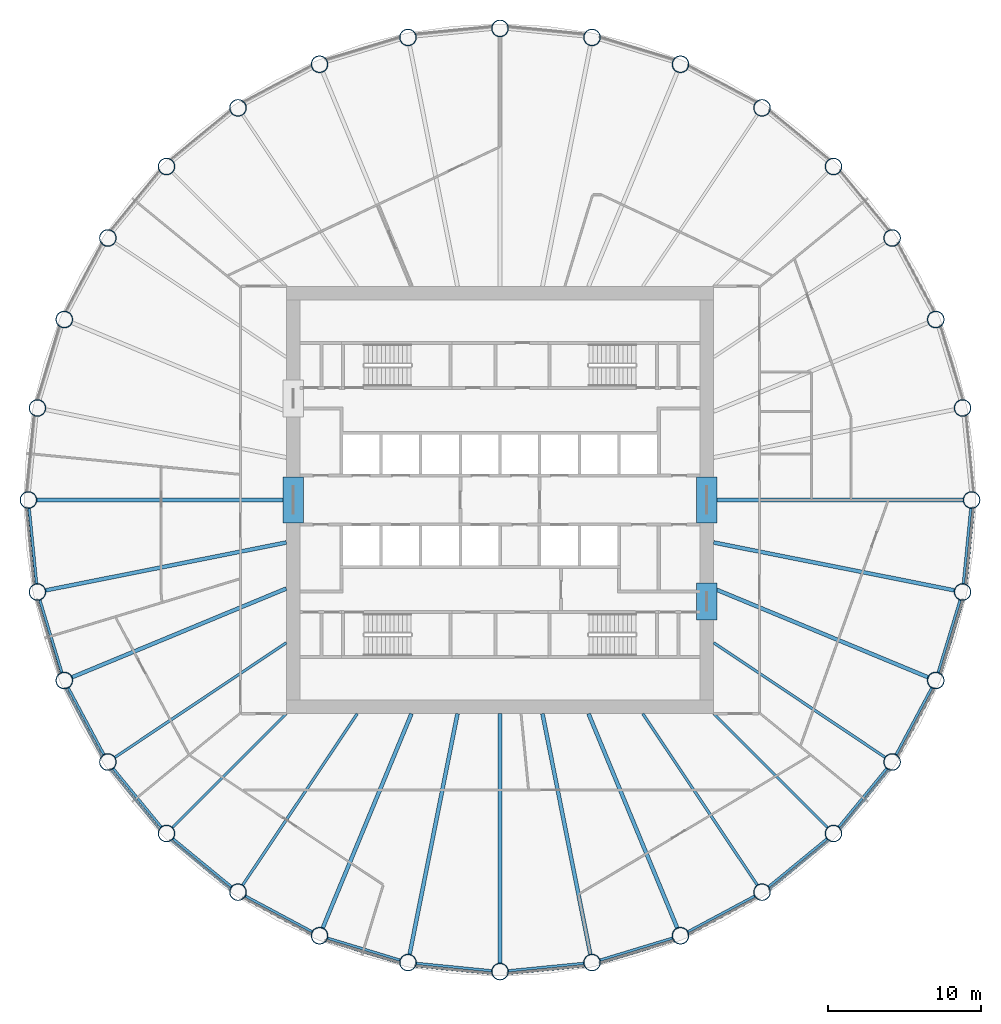
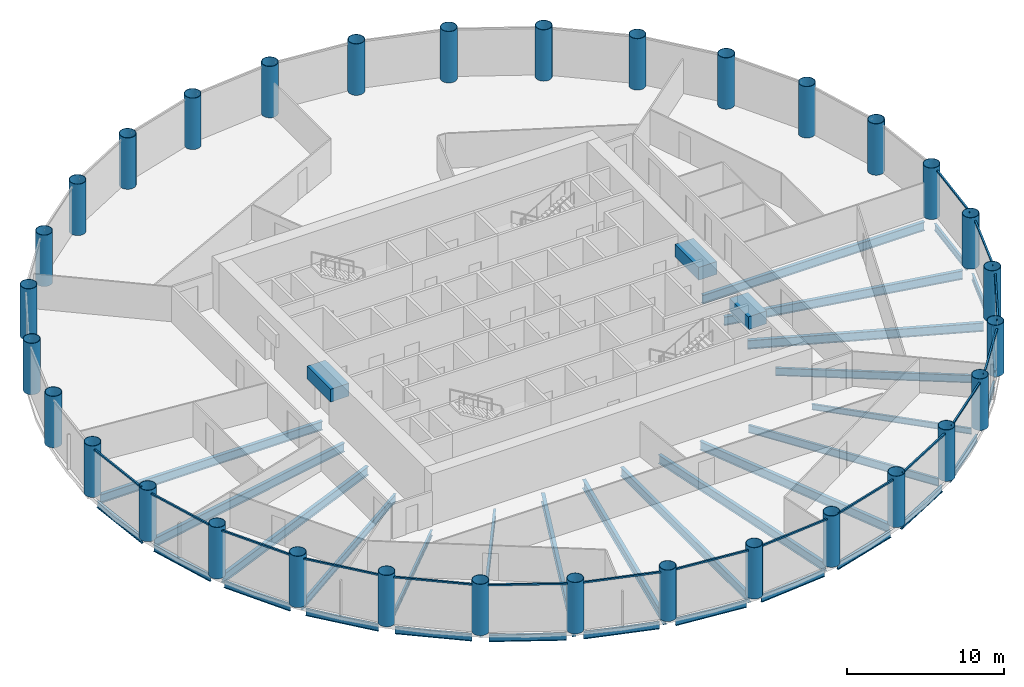
# One storey, part 1 of 8: 36 beams, 32 columns, 16 members, 16 elements without a shape of their own.
"""IFC4 building model written with IfcOpenShell, lengths in metres."""

from ifc_helpers import new_model, si_unit, direction, frame, origin, origin_2d, place, context, subcontext, project, spatial, rectangle, hollow_circle, i_section, extrude, material, material_profile, profile_set, type_object, element, aggregate, save


model = new_model("IFC4")

# Units and contexts
model_context = context("Model", 3, precision=1e-05, world=origin(), true_north=direction((0.0, 1.0)))
body_context = subcontext(model_context, "Body", "Model", "MODEL_VIEW")
ifc_project = project(units=[si_unit("LENGTHUNIT", "METRE"), si_unit("AREAUNIT", "SQUARE_METRE"), si_unit("VOLUMEUNIT", "CUBIC_METRE"), si_unit("PLANEANGLEUNIT", "RADIAN"), si_unit("MASSUNIT", "GRAM", prefix="KILO")], contexts=[model_context])

# Site, building, storey
site_placement = place(None, origin())
site = spatial("IfcSite", under=ifc_project, at=site_placement, CompositionType="ELEMENT")
building_placement = place(site_placement, origin())
building = spatial("IfcBuilding", under=site, at=building_placement, Name="Corvane Civic Tower", CompositionType="ELEMENT")
storey_placement = place(building_placement, frame((0.0, 0.0, 152.0)))
storey = spatial("IfcBuildingStorey", under=building, at=storey_placement, Name="L35", CompositionType="ELEMENT", Elevation=152.0)

# Columns
ifc_material_1 = material(Name="Steel ASTM A572 Gr 50", Category="steel")
ifc_material_profile_1 = material_profile(ifc_material_1, hollow_circle(Radius=0.550048828125, WallThickness=0.031982421875, at=origin_2d()), Name="CHS1100X32")
ifc_profile_set_1 = profile_set([ifc_material_profile_1], Name="Steel ASTM A572 Gr 50")
column_type = type_object("IfcColumnType", Name="COMPOSITE COLUMN CHS1100X32", PredefinedType="COLUMN", material=ifc_profile_set_1)
for number, where, z_axis, x_axis, name in (
    (1, (0.0, 30.89990234375, 0.0), (0.0, 0.0, 1.0), (1.0, 0.0, 0.0), "COL-L35-C01"),
    (2, (6.0283203125, 30.30615234375, 0.0), (0.0, 0.0, 1.0), (1.0, 0.0, 0.0), "COL-L35-C02"),
    (3, (11.824951171875, 28.5478515625, 0.0), (0.0, 0.0, 1.0), (1.0, 0.0, 0.0), "COL-L35-C03"),
    (4, (17.167236328125, 25.6923828125, 0.0), (0.0, 0.0, 1.0), (1.0, 0.0, 0.0), "COL-L35-C04"),
    (5, (21.849609375, 21.849609375, 0.0), (0.0, 0.0, 1.0), (1.0, 0.0, 0.0), "COL-L35-C05"),
    (6, (25.6923828125, 17.167236328125, 0.0), (0.0, 0.0, 1.0), (1.0, 0.0, 0.0), "COL-L35-C06"),
    (7, (28.5478515625, 11.824951171875, 0.0), (0.0, 0.0, 1.0), (1.0, 0.0, 0.0), "COL-L35-C07"),
    (8, (30.30615234375, 6.0283203125, 0.0), (0.0, 0.0, 1.0), (1.0, 0.0, 0.0), "COL-L35-C08"),
    (9, (30.89990234375, 0.0, 0.0), (0.0, 0.0, 1.0), (1.0, 0.0, 0.0), "COL-L35-C09"),
    (10, (30.30615234375, -6.0283203125, 0.0), (0.0, 0.0, 1.0), (1.0, 0.0, 0.0), "COL-L35-C10"),
    (11, (28.5478515625, -11.824951171875, 0.0), (0.0, 0.0, 1.0), (1.0, 0.0, 0.0), "COL-L35-C11"),
    (12, (25.6923828125, -17.167236328125, 0.0), (0.0, 0.0, 1.0), (1.0, 0.0, 0.0), "COL-L35-C12"),
    (13, (21.849609375, -21.849609375, 0.0), (0.0, 0.0, 1.0), (1.0, 0.0, 0.0), "COL-L35-C13"),
    (14, (17.167236328125, -25.6923828125, 0.0), (0.0, 0.0, 1.0), (1.0, 0.0, 0.0), "COL-L35-C14"),
    (15, (11.824951171875, -28.5478515625, 0.0), (0.0, 0.0, 1.0), (1.0, 0.0, 0.0), "COL-L35-C15"),
    (16, (6.0283203125, -30.30615234375, 0.0), (0.0, 0.0, 1.0), (1.0, 0.0, 0.0), "COL-L35-C16"),
    (17, (0.0, -30.89990234375, 0.0), (0.0, 0.0, 1.0), (1.0, 0.0, 0.0), "COL-L35-C17"),
    (18, (-6.0283203125, -30.30615234375, 0.0), (0.0, 0.0, 1.0), (1.0, 0.0, 0.0), "COL-L35-C18"),
    (19, (-11.824951171875, -28.5478515625, 0.0), (0.0, 0.0, 1.0), (1.0, 0.0, 0.0), "COL-L35-C19"),
    (20, (-17.167236328125, -25.6923828125, 0.0), (0.0, 0.0, 1.0), (1.0, 0.0, 0.0), "COL-L35-C20"),
    (21, (-21.849609375, -21.849609375, 0.0), (0.0, 0.0, 1.0), (1.0, 0.0, 0.0), "COL-L35-C21"),
    (22, (-25.6923828125, -17.167236328125, 0.0), (0.0, 0.0, 1.0), (1.0, 0.0, 0.0), "COL-L35-C22"),
    (23, (-28.5478515625, -11.824951171875, 0.0), (0.0, 0.0, 1.0), (1.0, 0.0, 0.0), "COL-L35-C23"),
    (24, (-30.30615234375, -6.0283203125, 0.0), (0.0, 0.0, 1.0), (1.0, 0.0, 0.0), "COL-L35-C24"),
    (25, (-30.89990234375, 0.0, 0.0), (0.0, 0.0, 1.0), (1.0, 0.0, 0.0), "COL-L35-C25"),
    (26, (-30.30615234375, 6.0283203125, 0.0), (0.0, 0.0, 1.0), (1.0, 0.0, 0.0), "COL-L35-C26"),
    (27, (-28.5478515625, 11.824951171875, 0.0), (0.0, 0.0, 1.0), (1.0, 0.0, 0.0), "COL-L35-C27"),
    (28, (-25.6923828125, 17.167236328125, 0.0), (0.0, 0.0, 1.0), (1.0, 0.0, 0.0), "COL-L35-C28"),
    (29, (-21.849609375, 21.849609375, 0.0), (0.0, 0.0, 1.0), (1.0, 0.0, 0.0), "COL-L35-C29"),
    (30, (-17.167236328125, 25.6923828125, 0.0), (0.0, 0.0, 1.0), (1.0, 0.0, 0.0), "COL-L35-C30"),
    (31, (-11.824951171875, 28.5478515625, 0.0), (0.0, 0.0, 1.0), (1.0, 0.0, 0.0), "COL-L35-C31"),
    (32, (-6.0283203125, 30.30615234375, 0.0), (0.0, 0.0, 1.0), (1.0, 0.0, 0.0), "COL-L35-C32"),
):
    element("IfcColumn", number, at=place(storey_placement, frame(where, z_axis=z_axis, x_axis=x_axis)), inside=storey, type_object=column_type, Name=name, PredefinedType="COLUMN", context=body_context, shape_type="SweptSolid", body=[
        extrude(hollow_circle(Radius=0.550048828125, WallThickness=0.031982421875, at=origin_2d()), origin(), (0.0, 0.0, 1.0), 4.0),
    ])

# Beams
ifc_material_2 = material(Name="Concrete C60/75", Category="concrete")
ifc_material_profile_2 = material_profile(ifc_material_2, rectangle(XDim=1.35009765625, YDim=1.0, at=origin_2d()), Name="COUPLING BEAM 1350X1000")
ifc_profile_set_2 = profile_set([ifc_material_profile_2], Name="Concrete C60/75")
beam_type_1 = type_object("IfcBeamType", Name="COUPLING BEAM COUPLING BEAM 1350X1000", PredefinedType="BEAM", material=ifc_profile_set_2)
for number, where, z_axis, x_axis, name in (
    (33, (-13.550048828125, -1.5, 2.60009765625), (0.0, 1.0, 0.0), (-1.0, 0.0, 0.0), "BM-L35-cpl-CW-LW"),
    (34, (13.550048828125, -1.5, 2.60009765625), (0.0, 1.0, 0.0), (-1.0, 0.0, 0.0), "BM-L35-cpl-CW-LE"),
):
    element("IfcBeam", number, at=place(storey_placement, frame(where, z_axis=z_axis, x_axis=x_axis)), inside=storey, type_object=beam_type_1, Name=name, PredefinedType="BEAM", context=body_context, shape_type="SweptSolid", body=[
        extrude(rectangle(XDim=1.35009765625, YDim=1.0, at=origin_2d()), origin(), (0.0, 0.0, 1.0), 3.0),
    ])
beam_1_placement = place(storey_placement, frame((13.550048828125, -7.85009765625, 2.60009765625), z_axis=(0.0, 1.0, 0.0), x_axis=(-1.0, 0.0, 0.0)))
element("IfcBeam", 35, at=beam_1_placement, inside=storey, type_object=beam_type_1, Name="BM-L35-cpl-CW-ES", PredefinedType="BEAM", context=body_context, shape_type="SweptSolid", body=[
    extrude(rectangle(XDim=1.35009765625, YDim=1.0, at=origin_2d()), origin(), (0.0, 0.0, 1.0), 2.400146484375),
])
ifc_material_3 = material(Name="Steel ASTM A992 Gr 50", Category="steel")
ifc_material_profile_3 = material_profile(ifc_material_3, i_section(OverallWidth=0.165771484375, OverallDepth=0.5283203125, WebThickness=0.009765625, FlangeThickness=0.013671875, at=origin_2d()), Name="W21X50")
ifc_profile_set_3 = profile_set([ifc_material_profile_3], Name="Steel ASTM A992 Gr 50")
beam_type_2 = type_object("IfcBeamType", Name="EDGE BEAM W21X50", PredefinedType="BEAM", material=ifc_profile_set_3)
beam_2_placement = place(storey_placement, frame((30.845947265625, -0.54736328125, -0.564208984375), z_axis=(-0.09800181167, -0.995186236294, 0.0), x_axis=(0.995186236294, -0.09800181167, 0.0)))
element("IfcBeam", 36, at=beam_2_placement, inside=storey, type_object=beam_type_2, Name="BM-L35-E09", PredefinedType="BEAM", context=body_context, shape_type="SweptSolid", body=[
    extrude(i_section(OverallWidth=0.165771484375, OverallDepth=0.5283203125, WebThickness=0.009765625, FlangeThickness=0.013671875, at=origin_2d()), origin(), (0.0, 0.0, 1.0), 4.95751953125),
])
beam_3_placement = place(storey_placement, frame((30.146484375, -6.5546875, -0.564208984375), z_axis=(-0.290269821381, -0.956944842086, 0.0), x_axis=(0.956944842086, -0.290269821381, 0.0)))
element("IfcBeam", 37, at=beam_3_placement, inside=storey, type_object=beam_type_2, Name="BM-L35-E10", PredefinedType="BEAM", context=body_context, shape_type="SweptSolid", body=[
    extrude(i_section(OverallWidth=0.165771484375, OverallDepth=0.5283203125, WebThickness=0.009765625, FlangeThickness=0.013671875, at=origin_2d()), origin(), (0.0, 0.0, 1.0), 4.957275390625),
])
for number, where, z_axis, x_axis, name in (
    (38, (28.28857421875, -12.31005859375, -0.564208984375), (-0.471395763042, -0.881921784846, 0.0), (0.881921784846, -0.471395763042, 0.0), "BM-L35-E11"),
    (39, (25.343505859375, -17.59228515625, -0.564208984375), (-0.634387546532, -0.77301516208, 0.0), (0.77301516208, -0.634387546532, 0.0), "BM-L35-E12"),
    (40, (21.424560546875, -22.198486328125, -0.564208984375), (-0.77301516208, -0.634387546532, 0.0), (0.634387546532, -0.77301516208, 0.0), "BM-L35-E13"),
    (41, (16.68212890625, -25.95166015625, -0.564208984375), (-0.881921784846, -0.471395763042, 0.0), (0.471395763042, -0.881921784846, 0.0), "BM-L35-E14"),
):
    element("IfcBeam", number, at=place(storey_placement, frame(where, z_axis=z_axis, x_axis=x_axis)), inside=storey, type_object=beam_type_2, Name=name, PredefinedType="BEAM", context=body_context, shape_type="SweptSolid", body=[
        extrude(i_section(OverallWidth=0.165771484375, OverallDepth=0.5283203125, WebThickness=0.009765625, FlangeThickness=0.013671875, at=origin_2d()), origin(), (0.0, 0.0, 1.0), 4.95751953125),
    ])
beam_4_placement = place(storey_placement, frame((11.298583984375, -28.70751953125, -0.564208984375), z_axis=(-0.956944842086, -0.290269821381, 0.0), x_axis=(0.290269821381, -0.956944842086, 0.0)))
element("IfcBeam", 42, at=beam_4_placement, inside=storey, type_object=beam_type_2, Name="BM-L35-E15", PredefinedType="BEAM", context=body_context, shape_type="SweptSolid", body=[
    extrude(i_section(OverallWidth=0.165771484375, OverallDepth=0.5283203125, WebThickness=0.009765625, FlangeThickness=0.013671875, at=origin_2d()), origin(), (0.0, 0.0, 1.0), 4.957275390625),
])
for number, where, z_axis, x_axis, name in (
    (43, (5.48095703125, -30.360107421875, -0.564208984375), (-0.995186236294, -0.09800181167, 0.0), (0.09800181167, -0.995186236294, 0.0), "BM-L35-E16"),
    (44, (-0.54736328125, -30.845947265625, -0.564208984375), (-0.995186236294, 0.09800181167, 0.0), (-0.09800181167, -0.995186236294, 0.0), "BM-L35-E17"),
):
    element("IfcBeam", number, at=place(storey_placement, frame(where, z_axis=z_axis, x_axis=x_axis)), inside=storey, type_object=beam_type_2, Name=name, PredefinedType="BEAM", context=body_context, shape_type="SweptSolid", body=[
        extrude(i_section(OverallWidth=0.165771484375, OverallDepth=0.5283203125, WebThickness=0.009765625, FlangeThickness=0.013671875, at=origin_2d()), origin(), (0.0, 0.0, 1.0), 4.95751953125),
    ])
beam_5_placement = place(storey_placement, frame((-6.5546875, -30.146484375, -0.564208984375), z_axis=(-0.956944842086, 0.290269821381, 0.0), x_axis=(-0.290269821381, -0.956944842086, 0.0)))
element("IfcBeam", 45, at=beam_5_placement, inside=storey, type_object=beam_type_2, Name="BM-L35-E18", PredefinedType="BEAM", context=body_context, shape_type="SweptSolid", body=[
    extrude(i_section(OverallWidth=0.165771484375, OverallDepth=0.5283203125, WebThickness=0.009765625, FlangeThickness=0.013671875, at=origin_2d()), origin(), (0.0, 0.0, 1.0), 4.957275390625),
])
for number, where, z_axis, x_axis, name in (
    (46, (-12.31005859375, -28.28857421875, -0.564208984375), (-0.881921784846, 0.471395763042, 0.0), (-0.471395763042, -0.881921784846, 0.0), "BM-L35-E19"),
    (47, (-17.59228515625, -25.343505859375, -0.564208984375), (-0.77301516208, 0.634387546532, 0.0), (-0.634387546532, -0.77301516208, 0.0), "BM-L35-E20"),
    (48, (-22.198486328125, -21.424560546875, -0.564208984375), (-0.634387546532, 0.77301516208, 0.0), (-0.77301516208, -0.634387546532, 0.0), "BM-L35-E21"),
    (49, (-25.95166015625, -16.68212890625, -0.564208984375), (-0.471395763042, 0.881921784846, 0.0), (-0.881921784846, -0.471395763042, 0.0), "BM-L35-E22"),
):
    element("IfcBeam", number, at=place(storey_placement, frame(where, z_axis=z_axis, x_axis=x_axis)), inside=storey, type_object=beam_type_2, Name=name, PredefinedType="BEAM", context=body_context, shape_type="SweptSolid", body=[
        extrude(i_section(OverallWidth=0.165771484375, OverallDepth=0.5283203125, WebThickness=0.009765625, FlangeThickness=0.013671875, at=origin_2d()), origin(), (0.0, 0.0, 1.0), 4.95751953125),
    ])
beam_6_placement = place(storey_placement, frame((-28.70751953125, -11.298583984375, -0.564208984375), z_axis=(-0.290269821381, 0.956944842086, 0.0), x_axis=(-0.956944842086, -0.290269821381, 0.0)))
element("IfcBeam", 50, at=beam_6_placement, inside=storey, type_object=beam_type_2, Name="BM-L35-E23", PredefinedType="BEAM", context=body_context, shape_type="SweptSolid", body=[
    extrude(i_section(OverallWidth=0.165771484375, OverallDepth=0.5283203125, WebThickness=0.009765625, FlangeThickness=0.013671875, at=origin_2d()), origin(), (0.0, 0.0, 1.0), 4.957275390625),
])
beam_7_placement = place(storey_placement, frame((-30.360107421875, -5.48095703125, -0.564208984375), z_axis=(-0.09800181167, 0.995186236294, 0.0), x_axis=(-0.995186236294, -0.09800181167, 0.0)))
element("IfcBeam", 51, at=beam_7_placement, inside=storey, type_object=beam_type_2, Name="BM-L35-E24", PredefinedType="BEAM", context=body_context, shape_type="SweptSolid", body=[
    extrude(i_section(OverallWidth=0.165771484375, OverallDepth=0.5283203125, WebThickness=0.009765625, FlangeThickness=0.013671875, at=origin_2d()), origin(), (0.0, 0.0, 1.0), 4.95751953125),
])
ifc_material_4 = material(Name="Steel ASTM A992 Gr 50", Category="steel")
ifc_material_profile_4 = material_profile(ifc_material_4, i_section(OverallWidth=0.15283203125, OverallDepth=0.45458984375, WebThickness=0.008056640625, FlangeThickness=0.013427734375, at=origin_2d()), Name="W18X40")
ifc_profile_set_4 = profile_set([ifc_material_profile_4], Name="Steel ASTM A992 Gr 50")
beam_type_3 = type_object("IfcBeamType", Name="FLOOR GIRDER W18X40", PredefinedType="BEAM", material=ifc_profile_set_4)
for number, where, z_axis, x_axis, name in (
    (52, (14.0, -14.0, -0.52734375), (0.707106781187, -0.707106781187, 0.0), (0.707106781187, 0.707106781187, 0.0), "BM-L35-G13"),
    (53, (-14.0, -14.0, -0.52734375), (-0.707106781187, -0.707106781187, 0.0), (0.707106781187, -0.707106781187, 0.0), "BM-L35-G21"),
):
    element("IfcBeam", number, at=place(storey_placement, frame(where, z_axis=z_axis, x_axis=x_axis)), inside=storey, type_object=beam_type_3, Name=name, PredefinedType="BEAM", context=body_context, shape_type="SweptSolid", body=[
        extrude(i_section(OverallWidth=0.15283203125, OverallDepth=0.45458984375, WebThickness=0.008056640625, FlangeThickness=0.013427734375, at=origin_2d()), origin(), (0.0, 0.0, 1.0), 10.551025390625),
    ])
ifc_material_5 = material(Name="Steel ASTM A992 Gr 50", Category="steel")
ifc_material_profile_5 = material_profile(ifc_material_5, i_section(OverallWidth=0.177978515625, OverallDepth=0.599365234375, WebThickness=0.010009765625, FlangeThickness=0.012939453125, at=origin_2d()), Name="W24X55")
ifc_profile_set_5 = profile_set([ifc_material_profile_5], Name="Steel ASTM A992 Gr 50")
beam_type_4 = type_object("IfcBeamType", Name="FLOOR GIRDER W24X55", PredefinedType="BEAM", material=ifc_profile_set_5)
for number, where, z_axis, x_axis, name in (
    (54, (14.0, -9.3544921875, -0.599609375), (0.83146888399, -0.555571323015, 0.0), (0.555571323015, 0.83146888399, 0.0), "BM-L35-G12"),
    (55, (9.3544921875, -14.0, -0.599609375), (0.555571323015, -0.83146888399, 0.0), (0.83146888399, 0.555571323015, 0.0), "BM-L35-G14"),
    (56, (-9.3544921875, -14.0, -0.599609375), (-0.555571323015, -0.83146888399, 0.0), (0.83146888399, -0.555571323015, 0.0), "BM-L35-G20"),
    (57, (-14.0, -9.3544921875, -0.599609375), (-0.83146888399, -0.555571323015, 0.0), (0.555571323015, -0.83146888399, 0.0), "BM-L35-G22"),
):
    element("IfcBeam", number, at=place(storey_placement, frame(where, z_axis=z_axis, x_axis=x_axis)), inside=storey, type_object=beam_type_4, Name=name, PredefinedType="BEAM", context=body_context, shape_type="SweptSolid", body=[
        extrude(i_section(OverallWidth=0.177978515625, OverallDepth=0.599365234375, WebThickness=0.010009765625, FlangeThickness=0.012939453125, at=origin_2d()), origin(), (0.0, 0.0, 1.0), 13.512451171875),
    ])
ifc_material_6 = material(Name="Steel ASTM A992 Gr 50", Category="steel")
ifc_material_profile_6 = material_profile(ifc_material_6, i_section(OverallWidth=0.25390625, OverallDepth=0.67822265625, WebThickness=0.01171875, FlangeThickness=0.016357421875, at=origin_2d()), Name="W27X84")
ifc_profile_set_6 = profile_set([ifc_material_profile_6], Name="Steel ASTM A992 Gr 50")
beam_type_5 = type_object("IfcBeamType", Name="FLOOR GIRDER W27X84", PredefinedType="BEAM", material=ifc_profile_set_6)
beam_8_placement = place(storey_placement, frame((14.0, 0.0, -0.63916015625), z_axis=(1.0, 0.0, 0.0), x_axis=(0.0, 1.0, 0.0)))
element("IfcBeam", 58, at=beam_8_placement, inside=storey, type_object=beam_type_5, Name="BM-L35-G09", PredefinedType="BEAM", context=body_context, shape_type="SweptSolid", body=[
    extrude(i_section(OverallWidth=0.25390625, OverallDepth=0.67822265625, WebThickness=0.01171875, FlangeThickness=0.016357421875, at=origin_2d()), origin(), (0.0, 0.0, 1.0), 16.35009765625),
])
beam_9_placement = place(storey_placement, frame((14.0, -2.78466796875, -0.63916015625), z_axis=(0.980785162999, -0.195090912248, 0.0), x_axis=(0.195090912248, 0.980785162999, 0.0)))
element("IfcBeam", 59, at=beam_9_placement, inside=storey, type_object=beam_type_5, Name="BM-L35-G10", PredefinedType="BEAM", context=body_context, shape_type="SweptSolid", body=[
    extrude(i_section(OverallWidth=0.25390625, OverallDepth=0.67822265625, WebThickness=0.01171875, FlangeThickness=0.016357421875, at=origin_2d()), origin(), (0.0, 0.0, 1.0), 16.07568359375),
])
for number, where, z_axis, x_axis, name in (
    (60, (14.0, -5.799072265625, -0.63916015625), (0.923880551114, -0.38268097323, 0.0), (0.38268097323, 0.923880551114, 0.0), "BM-L35-G11"),
    (61, (5.799072265625, -14.0, -0.63916015625), (0.38268097323, -0.923880551114, 0.0), (0.923880551114, 0.38268097323, 0.0), "BM-L35-G15"),
):
    element("IfcBeam", number, at=place(storey_placement, frame(where, z_axis=z_axis, x_axis=x_axis)), inside=storey, type_object=beam_type_5, Name=name, PredefinedType="BEAM", context=body_context, shape_type="SweptSolid", body=[
        extrude(i_section(OverallWidth=0.25390625, OverallDepth=0.67822265625, WebThickness=0.01171875, FlangeThickness=0.016357421875, at=origin_2d()), origin(), (0.0, 0.0, 1.0), 15.196533203125),
    ])
beam_10_placement = place(storey_placement, frame((2.78466796875, -14.0, -0.63916015625), z_axis=(0.195090912248, -0.980785162999, 0.0), x_axis=(0.980785162999, 0.195090912248, 0.0)))
element("IfcBeam", 62, at=beam_10_placement, inside=storey, type_object=beam_type_5, Name="BM-L35-G16", PredefinedType="BEAM", context=body_context, shape_type="SweptSolid", body=[
    extrude(i_section(OverallWidth=0.25390625, OverallDepth=0.67822265625, WebThickness=0.01171875, FlangeThickness=0.016357421875, at=origin_2d()), origin(), (0.0, 0.0, 1.0), 16.07568359375),
])
beam_11_placement = place(storey_placement, frame((0.0, -14.0, -0.63916015625), z_axis=(0.0, -1.0, 0.0), x_axis=(1.0, 0.0, 0.0)))
element("IfcBeam", 63, at=beam_11_placement, inside=storey, type_object=beam_type_5, Name="BM-L35-G17", PredefinedType="BEAM", context=body_context, shape_type="SweptSolid", body=[
    extrude(i_section(OverallWidth=0.25390625, OverallDepth=0.67822265625, WebThickness=0.01171875, FlangeThickness=0.016357421875, at=origin_2d()), origin(), (0.0, 0.0, 1.0), 16.35009765625),
])
beam_12_placement = place(storey_placement, frame((-2.78466796875, -14.0, -0.63916015625), z_axis=(-0.195090912248, -0.980785162999, 0.0), x_axis=(0.980785162999, -0.195090912248, 0.0)))
element("IfcBeam", 64, at=beam_12_placement, inside=storey, type_object=beam_type_5, Name="BM-L35-G18", PredefinedType="BEAM", context=body_context, shape_type="SweptSolid", body=[
    extrude(i_section(OverallWidth=0.25390625, OverallDepth=0.67822265625, WebThickness=0.01171875, FlangeThickness=0.016357421875, at=origin_2d()), origin(), (0.0, 0.0, 1.0), 16.07568359375),
])
for number, where, z_axis, x_axis, name in (
    (65, (-5.799072265625, -14.0, -0.63916015625), (-0.38268097323, -0.923880551114, 0.0), (0.923880551114, -0.38268097323, 0.0), "BM-L35-G19"),
    (66, (-14.0, -5.799072265625, -0.63916015625), (-0.923880551114, -0.38268097323, 0.0), (0.38268097323, -0.923880551114, 0.0), "BM-L35-G23"),
):
    element("IfcBeam", number, at=place(storey_placement, frame(where, z_axis=z_axis, x_axis=x_axis)), inside=storey, type_object=beam_type_5, Name=name, PredefinedType="BEAM", context=body_context, shape_type="SweptSolid", body=[
        extrude(i_section(OverallWidth=0.25390625, OverallDepth=0.67822265625, WebThickness=0.01171875, FlangeThickness=0.016357421875, at=origin_2d()), origin(), (0.0, 0.0, 1.0), 15.196533203125),
    ])
beam_13_placement = place(storey_placement, frame((-14.0, -2.78466796875, -0.63916015625), z_axis=(-0.980785162999, -0.195090912248, 0.0), x_axis=(0.195090912248, -0.980785162999, 0.0)))
element("IfcBeam", 67, at=beam_13_placement, inside=storey, type_object=beam_type_5, Name="BM-L35-G24", PredefinedType="BEAM", context=body_context, shape_type="SweptSolid", body=[
    extrude(i_section(OverallWidth=0.25390625, OverallDepth=0.67822265625, WebThickness=0.01171875, FlangeThickness=0.016357421875, at=origin_2d()), origin(), (0.0, 0.0, 1.0), 16.07568359375),
])
beam_14_placement = place(storey_placement, frame((-14.0, 0.0, -0.63916015625), z_axis=(-1.0, 0.0, 0.0), x_axis=(0.0, -1.0, 0.0)))
element("IfcBeam", 68, at=beam_14_placement, inside=storey, type_object=beam_type_5, Name="BM-L35-G25", PredefinedType="BEAM", context=body_context, shape_type="SweptSolid", body=[
    extrude(i_section(OverallWidth=0.25390625, OverallDepth=0.67822265625, WebThickness=0.01171875, FlangeThickness=0.016357421875, at=origin_2d()), origin(), (0.0, 0.0, 1.0), 16.35009765625),
])

# Curtain wall, member
ifc_material_7 = material(Name="Anodised aluminium bronze", Category="aluminium")
curtain_wall_type = type_object("IfcCurtainWallType", Name="TOWER CW-T2 STICK CURTAIN WALL", PredefinedType="NOTDEFINED", material=ifc_material_7)
curtain_wall_1_placement = place(storey_placement, origin())
curtain_wall_1 = element("IfcCurtainWall", 69, at=curtain_wall_1_placement, inside=storey, type_object=curtain_wall_type, Name="Curtain wall CW-T2 L35 bay 09", PredefinedType="NOTDEFINED")
ifc_material_8 = material(Name="Anodised aluminium bronze", Category="aluminium")
ifc_material_profile_7 = material_profile(ifc_material_8, rectangle(XDim=0.1201171875, YDim=0.1201171875, at=origin_2d()), Name="TOWER CW-T2 TRANSOM 120x120")
ifc_profile_set_7 = profile_set([ifc_material_profile_7], Name="Anodised aluminium bronze")
member_type = type_object("IfcMemberType", Name="TOWER CW-T2 TRANSOM 120x120", PredefinedType="USERDEFINED", material=ifc_profile_set_7)
member_1_placement = place(storey_placement, frame((31.0302734375, -0.505126953125, 3.68994140625), z_axis=(-0.097989755963, -0.995187423416, 0.0), x_axis=(0.995187423416, -0.097989755963, 0.0)))
member_1 = element("IfcMember", 70, at=member_1_placement, type_object=member_type, Name="Transom CW-T2 L35 09.1", ObjectType="TRANSOM", PredefinedType="USERDEFINED", context=body_context, shape_type="SweptSolid", body=[
    extrude(rectangle(XDim=0.1201171875, YDim=0.1201171875, at=origin_2d()), origin(), (0.0, 0.0, 1.0), 5.07763671875),
])
aggregate(curtain_wall_1, [member_1])

curtain_wall_2_placement = place(storey_placement, origin())
curtain_wall_2 = element("IfcCurtainWall", 71, at=curtain_wall_2_placement, inside=storey, type_object=curtain_wall_type, Name="Curtain wall CW-T2 L35 bay 10", PredefinedType="NOTDEFINED")
member_2_placement = place(storey_placement, frame((30.33544921875, -6.54931640625, 3.68994140625), z_axis=(-0.290288977061, -0.956939031389, 0.0), x_axis=(0.956939031389, -0.290288977061, 0.0)))
member_2 = element("IfcMember", 72, at=member_2_placement, type_object=member_type, Name="Transom CW-T2 L35 10.1", ObjectType="TRANSOM", PredefinedType="USERDEFINED", context=body_context, shape_type="SweptSolid", body=[
    extrude(rectangle(XDim=0.1201171875, YDim=0.1201171875, at=origin_2d()), origin(), (0.0, 0.0, 1.0), 5.077392578125),
])
aggregate(curtain_wall_2, [member_2])

curtain_wall_3_placement = place(storey_placement, origin())
curtain_wall_3 = element("IfcCurtainWall", 73, at=curtain_wall_3_placement, inside=storey, type_object=curtain_wall_type, Name="Curtain wall CW-T2 L35 bay 11", PredefinedType="NOTDEFINED")
member_3_placement = place(storey_placement, frame((28.474853515625, -12.341552734375, 3.68994140625), z_axis=(-0.471396615074, -0.881921329426, 0.0), x_axis=(0.881921329426, -0.471396615074, 0.0)))
member_3 = element("IfcMember", 74, at=member_3_placement, type_object=member_type, Name="Transom CW-T2 L35 11.1", ObjectType="TRANSOM", PredefinedType="USERDEFINED", context=body_context, shape_type="SweptSolid", body=[
    extrude(rectangle(XDim=0.1201171875, YDim=0.1201171875, at=origin_2d()), origin(), (0.0, 0.0, 1.0), 5.07763671875),
])
aggregate(curtain_wall_3, [member_3])

curtain_wall_4_placement = place(storey_placement, origin())
curtain_wall_4 = element("IfcCurtainWall", 75, at=curtain_wall_4_placement, inside=storey, type_object=curtain_wall_type, Name="Curtain wall CW-T2 L35 bay 12", PredefinedType="NOTDEFINED")
member_4_placement = place(storey_placement, frame((25.519775390625, -17.65966796875, 3.68994140625), z_axis=(-0.634386611146, -0.773015929719, 0.0), x_axis=(0.773015929719, -0.634386611146, 0.0)))
member_4 = element("IfcMember", 76, at=member_4_placement, type_object=member_type, Name="Transom CW-T2 L35 12.1", ObjectType="TRANSOM", PredefinedType="USERDEFINED", context=body_context, shape_type="SweptSolid", body=[
    extrude(rectangle(XDim=0.1201171875, YDim=0.1201171875, at=origin_2d()), origin(), (0.0, 0.0, 1.0), 5.0771484375),
])
aggregate(curtain_wall_4, [member_4])

curtain_wall_5_placement = place(storey_placement, origin())
curtain_wall_5 = element("IfcCurtainWall", 77, at=curtain_wall_5_placement, inside=storey, type_object=curtain_wall_type, Name="Curtain wall CW-T2 L35 bay 13", PredefinedType="NOTDEFINED")
member_5_placement = place(storey_placement, frame((21.58447265625, -22.298828125, 3.68994140625), z_axis=(-0.773015929719, -0.634386611146, 0.0), x_axis=(0.634386611146, -0.773015929719, 0.0)))
member_5 = element("IfcMember", 78, at=member_5_placement, type_object=member_type, Name="Transom CW-T2 L35 13.1", ObjectType="TRANSOM", PredefinedType="USERDEFINED", context=body_context, shape_type="SweptSolid", body=[
    extrude(rectangle(XDim=0.1201171875, YDim=0.1201171875, at=origin_2d()), origin(), (0.0, 0.0, 1.0), 5.0771484375),
])
aggregate(curtain_wall_5, [member_5])

curtain_wall_6_placement = place(storey_placement, origin())
curtain_wall_6 = element("IfcCurtainWall", 79, at=curtain_wall_6_placement, inside=storey, type_object=curtain_wall_type, Name="Curtain wall CW-T2 L35 bay 14", PredefinedType="NOTDEFINED")
member_6_placement = place(storey_placement, frame((16.819580078125, -26.081298828125, 3.68994140625), z_axis=(-0.881921329426, -0.471396615074, 0.0), x_axis=(0.471396615074, -0.881921329426, 0.0)))
member_6 = element("IfcMember", 80, at=member_6_placement, type_object=member_type, Name="Transom CW-T2 L35 14.1", ObjectType="TRANSOM", PredefinedType="USERDEFINED", context=body_context, shape_type="SweptSolid", body=[
    extrude(rectangle(XDim=0.1201171875, YDim=0.1201171875, at=origin_2d()), origin(), (0.0, 0.0, 1.0), 5.07763671875),
])
aggregate(curtain_wall_6, [member_6])

curtain_wall_7_placement = place(storey_placement, origin())
curtain_wall_7 = element("IfcCurtainWall", 81, at=curtain_wall_7_placement, inside=storey, type_object=curtain_wall_type, Name="Curtain wall CW-T2 L35 bay 15", PredefinedType="NOTDEFINED")
member_7_placement = place(storey_placement, frame((11.407958984375, -28.861572265625, 3.68994140625), z_axis=(-0.956939031389, -0.290288977061, 0.0), x_axis=(0.290288977061, -0.956939031389, 0.0)))
member_7 = element("IfcMember", 82, at=member_7_placement, type_object=member_type, Name="Transom CW-T2 L35 15.1", ObjectType="TRANSOM", PredefinedType="USERDEFINED", context=body_context, shape_type="SweptSolid", body=[
    extrude(rectangle(XDim=0.1201171875, YDim=0.1201171875, at=origin_2d()), origin(), (0.0, 0.0, 1.0), 5.077392578125),
])
aggregate(curtain_wall_7, [member_7])

curtain_wall_8_placement = place(storey_placement, origin())
curtain_wall_8 = element("IfcCurtainWall", 83, at=curtain_wall_8_placement, inside=storey, type_object=curtain_wall_type, Name="Curtain wall CW-T2 L35 bay 16", PredefinedType="NOTDEFINED")
member_8_placement = place(storey_placement, frame((5.558349609375, -30.53271484375, 3.68994140625), z_axis=(-0.995187423416, -0.097989755963, 0.0), x_axis=(0.097989755963, -0.995187423416, 0.0)))
member_8 = element("IfcMember", 84, at=member_8_placement, type_object=member_type, Name="Transom CW-T2 L35 16.1", ObjectType="TRANSOM", PredefinedType="USERDEFINED", context=body_context, shape_type="SweptSolid", body=[
    extrude(rectangle(XDim=0.1201171875, YDim=0.1201171875, at=origin_2d()), origin(), (0.0, 0.0, 1.0), 5.07763671875),
])
aggregate(curtain_wall_8, [member_8])

curtain_wall_9_placement = place(storey_placement, origin())
curtain_wall_9 = element("IfcCurtainWall", 85, at=curtain_wall_9_placement, inside=storey, type_object=curtain_wall_type, Name="Curtain wall CW-T2 L35 bay 17", PredefinedType="NOTDEFINED")
member_9_placement = place(storey_placement, frame((-0.505126953125, -31.0302734375, 3.68994140625), z_axis=(-0.995187423416, 0.097989755963, 0.0), x_axis=(-0.097989755963, -0.995187423416, 0.0)))
member_9 = element("IfcMember", 86, at=member_9_placement, type_object=member_type, Name="Transom CW-T2 L35 17.1", ObjectType="TRANSOM", PredefinedType="USERDEFINED", context=body_context, shape_type="SweptSolid", body=[
    extrude(rectangle(XDim=0.1201171875, YDim=0.1201171875, at=origin_2d()), origin(), (0.0, 0.0, 1.0), 5.07763671875),
])
aggregate(curtain_wall_9, [member_9])

curtain_wall_10_placement = place(storey_placement, origin())
curtain_wall_10 = element("IfcCurtainWall", 87, at=curtain_wall_10_placement, inside=storey, type_object=curtain_wall_type, Name="Curtain wall CW-T2 L35 bay 18", PredefinedType="NOTDEFINED")
member_10_placement = place(storey_placement, frame((-6.54931640625, -30.33544921875, 3.68994140625), z_axis=(-0.956939031389, 0.290288977061, 0.0), x_axis=(-0.290288977061, -0.956939031389, 0.0)))
member_10 = element("IfcMember", 88, at=member_10_placement, type_object=member_type, Name="Transom CW-T2 L35 18.1", ObjectType="TRANSOM", PredefinedType="USERDEFINED", context=body_context, shape_type="SweptSolid", body=[
    extrude(rectangle(XDim=0.1201171875, YDim=0.1201171875, at=origin_2d()), origin(), (0.0, 0.0, 1.0), 5.077392578125),
])
aggregate(curtain_wall_10, [member_10])

curtain_wall_11_placement = place(storey_placement, origin())
curtain_wall_11 = element("IfcCurtainWall", 89, at=curtain_wall_11_placement, inside=storey, type_object=curtain_wall_type, Name="Curtain wall CW-T2 L35 bay 19", PredefinedType="NOTDEFINED")
member_11_placement = place(storey_placement, frame((-12.341552734375, -28.474853515625, 3.68994140625), z_axis=(-0.881921329426, 0.471396615074, 0.0), x_axis=(-0.471396615074, -0.881921329426, 0.0)))
member_11 = element("IfcMember", 90, at=member_11_placement, type_object=member_type, Name="Transom CW-T2 L35 19.1", ObjectType="TRANSOM", PredefinedType="USERDEFINED", context=body_context, shape_type="SweptSolid", body=[
    extrude(rectangle(XDim=0.1201171875, YDim=0.1201171875, at=origin_2d()), origin(), (0.0, 0.0, 1.0), 5.07763671875),
])
aggregate(curtain_wall_11, [member_11])

curtain_wall_12_placement = place(storey_placement, origin())
curtain_wall_12 = element("IfcCurtainWall", 91, at=curtain_wall_12_placement, inside=storey, type_object=curtain_wall_type, Name="Curtain wall CW-T2 L35 bay 20", PredefinedType="NOTDEFINED")
member_12_placement = place(storey_placement, frame((-17.65966796875, -25.519775390625, 3.68994140625), z_axis=(-0.773015929719, 0.634386611146, 0.0), x_axis=(-0.634386611146, -0.773015929719, 0.0)))
member_12 = element("IfcMember", 92, at=member_12_placement, type_object=member_type, Name="Transom CW-T2 L35 20.1", ObjectType="TRANSOM", PredefinedType="USERDEFINED", context=body_context, shape_type="SweptSolid", body=[
    extrude(rectangle(XDim=0.1201171875, YDim=0.1201171875, at=origin_2d()), origin(), (0.0, 0.0, 1.0), 5.0771484375),
])
aggregate(curtain_wall_12, [member_12])

curtain_wall_13_placement = place(storey_placement, origin())
curtain_wall_13 = element("IfcCurtainWall", 93, at=curtain_wall_13_placement, inside=storey, type_object=curtain_wall_type, Name="Curtain wall CW-T2 L35 bay 21", PredefinedType="NOTDEFINED")
member_13_placement = place(storey_placement, frame((-22.298828125, -21.58447265625, 3.68994140625), z_axis=(-0.634386611146, 0.773015929719, 0.0), x_axis=(-0.773015929719, -0.634386611146, 0.0)))
member_13 = element("IfcMember", 94, at=member_13_placement, type_object=member_type, Name="Transom CW-T2 L35 21.1", ObjectType="TRANSOM", PredefinedType="USERDEFINED", context=body_context, shape_type="SweptSolid", body=[
    extrude(rectangle(XDim=0.1201171875, YDim=0.1201171875, at=origin_2d()), origin(), (0.0, 0.0, 1.0), 5.0771484375),
])
aggregate(curtain_wall_13, [member_13])

curtain_wall_14_placement = place(storey_placement, origin())
curtain_wall_14 = element("IfcCurtainWall", 95, at=curtain_wall_14_placement, inside=storey, type_object=curtain_wall_type, Name="Curtain wall CW-T2 L35 bay 22", PredefinedType="NOTDEFINED")
member_14_placement = place(storey_placement, frame((-26.081298828125, -16.819580078125, 3.68994140625), z_axis=(-0.471396615074, 0.881921329426, 0.0), x_axis=(-0.881921329426, -0.471396615074, 0.0)))
member_14 = element("IfcMember", 96, at=member_14_placement, type_object=member_type, Name="Transom CW-T2 L35 22.1", ObjectType="TRANSOM", PredefinedType="USERDEFINED", context=body_context, shape_type="SweptSolid", body=[
    extrude(rectangle(XDim=0.1201171875, YDim=0.1201171875, at=origin_2d()), origin(), (0.0, 0.0, 1.0), 5.07763671875),
])
aggregate(curtain_wall_14, [member_14])

curtain_wall_15_placement = place(storey_placement, origin())
curtain_wall_15 = element("IfcCurtainWall", 97, at=curtain_wall_15_placement, inside=storey, type_object=curtain_wall_type, Name="Curtain wall CW-T2 L35 bay 23", PredefinedType="NOTDEFINED")
member_15_placement = place(storey_placement, frame((-28.861572265625, -11.407958984375, 3.68994140625), z_axis=(-0.290288977061, 0.956939031389, 0.0), x_axis=(-0.956939031389, -0.290288977061, 0.0)))
member_15 = element("IfcMember", 98, at=member_15_placement, type_object=member_type, Name="Transom CW-T2 L35 23.1", ObjectType="TRANSOM", PredefinedType="USERDEFINED", context=body_context, shape_type="SweptSolid", body=[
    extrude(rectangle(XDim=0.1201171875, YDim=0.1201171875, at=origin_2d()), origin(), (0.0, 0.0, 1.0), 5.077392578125),
])
aggregate(curtain_wall_15, [member_15])

curtain_wall_16_placement = place(storey_placement, origin())
curtain_wall_16 = element("IfcCurtainWall", 99, at=curtain_wall_16_placement, inside=storey, type_object=curtain_wall_type, Name="Curtain wall CW-T2 L35 bay 24", PredefinedType="NOTDEFINED")
member_16_placement = place(storey_placement, frame((-30.53271484375, -5.558349609375, 3.68994140625), z_axis=(-0.097989755963, 0.995187423416, 0.0), x_axis=(-0.995187423416, -0.097989755963, 0.0)))
member_16 = element("IfcMember", 100, at=member_16_placement, type_object=member_type, Name="Transom CW-T2 L35 24.1", ObjectType="TRANSOM", PredefinedType="USERDEFINED", context=body_context, shape_type="SweptSolid", body=[
    extrude(rectangle(XDim=0.1201171875, YDim=0.1201171875, at=origin_2d()), origin(), (0.0, 0.0, 1.0), 5.07763671875),
])
aggregate(curtain_wall_16, [member_16])

save(model, "model.ifc")
